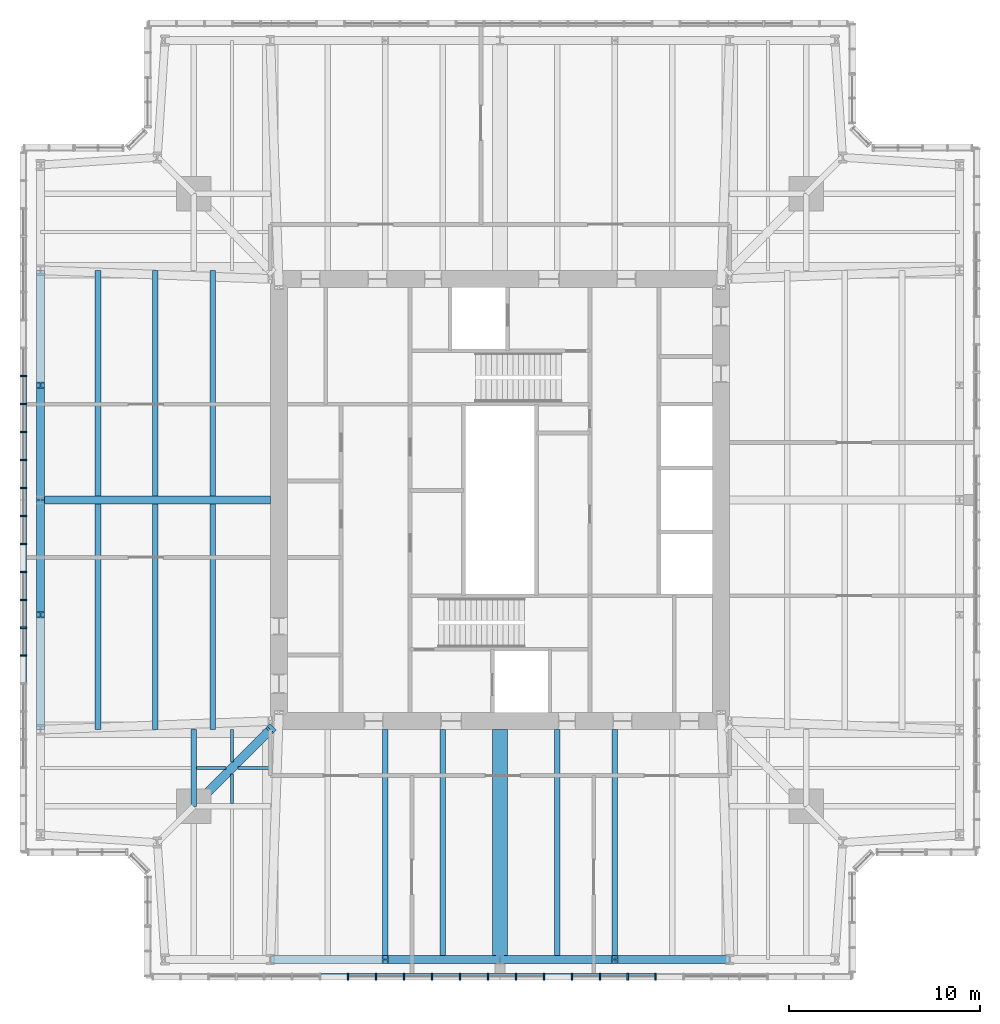
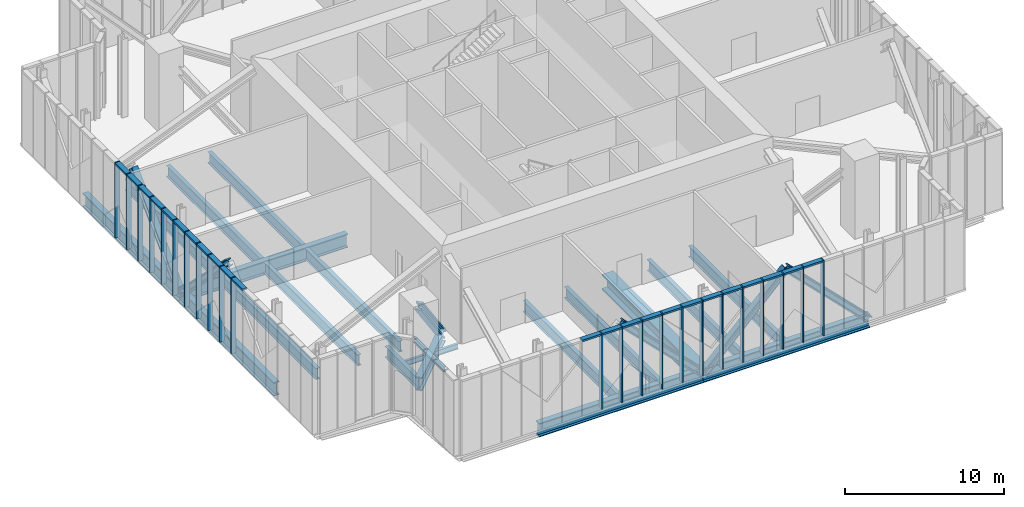
# One storey, part 3 of 18: 52 members, 22 beams, 2 elements without a shape of their own.
"""IFC4 building model written with IfcOpenShell, lengths in metres."""

from ifc_helpers import new_model, si_unit, direction, frame, origin, origin_2d, place, context, subcontext, project, spatial, rectangle, i_section, extrude, material, material_profile, profile_set, type_object, element, aggregate, save


model = new_model("IFC4")

# Units and contexts
model_context = context("Model", 3, precision=1e-05, world=origin(), true_north=direction((0.0, 1.0)))
body_context = subcontext(model_context, "Body", "Model", "MODEL_VIEW")
ifc_project = project(units=[si_unit("LENGTHUNIT", "METRE"), si_unit("AREAUNIT", "SQUARE_METRE"), si_unit("VOLUMEUNIT", "CUBIC_METRE"), si_unit("PLANEANGLEUNIT", "RADIAN"), si_unit("MASSUNIT", "GRAM", prefix="KILO")], contexts=[model_context])

# Site, building, storey
site_placement = place(None, origin())
site = spatial("IfcSite", under=ifc_project, at=site_placement, CompositionType="ELEMENT")
building_placement = place(site_placement, origin())
building = spatial("IfcBuilding", under=site, at=building_placement, Name="Fenwick Lantern Interchange", CompositionType="ELEMENT")
storey_placement = place(building_placement, frame((0.0, 0.0, 301.800048828125)))
storey = spatial("IfcBuildingStorey", under=building, at=storey_placement, Name="L73", CompositionType="ELEMENT", Elevation=301.800048828125)

# Members
ifc_material_1 = material(Name="Steel ASTM A992 Grade 50", Category="steel")
ifc_material_profile_1 = material_profile(ifc_material_1, i_section(OverallWidth=0.431884765625, OverallDepth=0.497802734375, WebThickness=0.0556640625, FlangeThickness=0.0888671875, at=origin_2d()), Name="W14X500")
ifc_profile_set_1 = profile_set([ifc_material_profile_1], Name="Steel ASTM A992 Grade 50")
member_type_1 = type_object("IfcMemberType", Name="BELT TRUSS DIAGONAL W14X500", PredefinedType="BRACE", material=ifc_profile_set_1)
for number, where, z_axis, x_axis, name in (
    (1, (25.0, 1.0, -0.650146484375), (-0.707106781187, 0.0, 0.707106781187), (0.0, -1.0, 0.0), "L73/BT/S/D3"),
    (2, (25.0, 1.0, -0.650146484375), (0.707106781187, 0.0, 0.707106781187), (0.0, 1.0, 0.0), "L73/BT/S/D4"),
    (3, (37.0, 1.0, -0.650146484375), (-0.707106781187, 0.0, 0.707106781187), (0.0, -1.0, 0.0), "L73/BT/S/D5"),
    (4, (1.0, 25.0, -0.650146484375), (0.0, 0.707106781187, 0.707106781187), (-1.0, 0.0, 0.0), "L73/BT/W/D3"),
    (5, (1.0, 25.0, -0.650146484375), (0.0, -0.707106781187, 0.707106781187), (1.0, 0.0, 0.0), "L73/BT/W/D4"),
):
    element("IfcMember", number, at=place(storey_placement, frame(where, z_axis=z_axis, x_axis=x_axis)), inside=storey, type_object=member_type_1, Name=name, PredefinedType="BRACE", context=body_context, shape_type="SweptSolid", body=[
        extrude(i_section(OverallWidth=0.431884765625, OverallDepth=0.497802734375, WebThickness=0.0556640625, FlangeThickness=0.0888671875, at=origin_2d()), origin(), (0.0, 0.0, 1.0), 8.4853515625),
    ])

# Beams
ifc_material_profile_2 = material_profile(ifc_material_1, i_section(OverallWidth=0.408935546875, OverallDepth=1.04150390625, WebThickness=0.031005859375, FlangeThickness=0.055908203125, at=origin_2d()), Name="W40X397")
ifc_profile_set_2 = profile_set([ifc_material_profile_2], Name="Steel ASTM A992 Grade 50")
beam_type_1 = type_object("IfcBeamType", Name="EDGE BEAM W40X397", PredefinedType="SPANDREL", material=ifc_profile_set_2)
for number, where, z_axis, x_axis, name in (
    (6, (13.0, 1.0, -0.720703125), (1.0, 0.0, 0.0), (0.0, 1.0, 0.0), "L73/FR/S/EB2"),
    (7, (25.0, 1.0, -0.720703125), (1.0, 0.0, 0.0), (0.0, 1.0, 0.0), "L73/FR/S/EB3"),
    (8, (1.0, 37.0, -0.720703125), (0.0, -1.0, 0.0), (1.0, 0.0, 0.0), "L73/FR/W/EB2"),
    (9, (1.0, 25.0, -0.720703125), (0.0, -1.0, 0.0), (1.0, 0.0, 0.0), "L73/FR/W/EB3"),
):
    element("IfcBeam", number, at=place(storey_placement, frame(where, z_axis=z_axis, x_axis=x_axis)), inside=storey, type_object=beam_type_1, Name=name, PredefinedType="SPANDREL", context=body_context, shape_type="SweptSolid", body=[
        extrude(i_section(OverallWidth=0.408935546875, OverallDepth=1.04150390625, WebThickness=0.031005859375, FlangeThickness=0.055908203125, at=origin_2d()), origin(), (0.0, 0.0, 1.0), 12.0),
    ])
ifc_material_profile_3 = material_profile(ifc_material_1, i_section(OverallWidth=0.2919921875, OverallDepth=0.845703125, WebThickness=0.015380859375, FlangeThickness=0.0244140625, at=origin_2d()), Name="W33X141")
ifc_profile_set_3 = profile_set([ifc_material_profile_3], Name="Steel ASTM A992 Grade 50")
beam_type_2 = type_object("IfcBeamType", Name="FLOOR BEAM W33X141", PredefinedType="BEAM", material=ifc_profile_set_3)
for number, where, z_axis, x_axis, name in (
    (10, (19.0, 1.0, -0.623046875), (0.0, 1.0, 0.0), (-1.0, 0.0, 0.0), "L73/FR/S/R03"),
    (11, (22.0, 1.0, -0.623046875), (0.0, 1.0, 0.0), (-1.0, 0.0, 0.0), "L73/FR/S/R04"),
    (12, (28.0, 1.0, -0.623046875), (0.0, 1.0, 0.0), (-1.0, 0.0, 0.0), "L73/FR/S/R06"),
    (13, (31.0, 1.0, -0.623046875), (0.0, 1.0, 0.0), (-1.0, 0.0, 0.0), "L73/FR/S/R07"),
):
    element("IfcBeam", number, at=place(storey_placement, frame(where, z_axis=z_axis, x_axis=x_axis)), inside=storey, type_object=beam_type_2, Name=name, PredefinedType="BEAM", context=body_context, shape_type="SweptSolid", body=[
        extrude(i_section(OverallWidth=0.2919921875, OverallDepth=0.845703125, WebThickness=0.015380859375, FlangeThickness=0.0244140625, at=origin_2d()), origin(), (0.0, 0.0, 1.0), 12.0),
    ])
for number, where, z_axis, x_axis, name in (
    (14, (4.0, 37.0, -0.623046875), (0.0, -1.0, 0.0), (1.0, 0.0, 0.0), "L73/FR/W/B01"),
    (15, (7.0, 37.0, -0.623046875), (0.0, -1.0, 0.0), (1.0, 0.0, 0.0), "L73/FR/W/B02"),
    (16, (10.0, 37.0, -0.623046875), (0.0, -1.0, 0.0), (1.0, 0.0, 0.0), "L73/FR/W/B03"),
    (17, (4.0, 24.79541015625, -0.623046875), (0.0, -1.0, 0.0), (1.0, 0.0, 0.0), "L73/FR/W/B04"),
    (18, (7.0, 24.79541015625, -0.623046875), (0.0, -1.0, 0.0), (1.0, 0.0, 0.0), "L73/FR/W/B05"),
    (19, (10.0, 24.79541015625, -0.623046875), (0.0, -1.0, 0.0), (1.0, 0.0, 0.0), "L73/FR/W/B06"),
):
    element("IfcBeam", number, at=place(storey_placement, frame(where, z_axis=z_axis, x_axis=x_axis)), inside=storey, type_object=beam_type_2, Name=name, PredefinedType="BEAM", context=body_context, shape_type="SweptSolid", body=[
        extrude(i_section(OverallWidth=0.2919921875, OverallDepth=0.845703125, WebThickness=0.015380859375, FlangeThickness=0.0244140625, at=origin_2d()), origin(), (0.0, 0.0, 1.0), 11.79541015625),
    ])
ifc_material_profile_4 = material_profile(ifc_material_1, i_section(OverallWidth=0.177734375, OverallDepth=0.406494140625, WebThickness=0.0078125, FlangeThickness=0.012939453125, at=origin_2d()), Name="W16X40")
ifc_profile_set_4 = profile_set([ifc_material_profile_4], Name="Steel ASTM A992 Grade 50")
beam_type_3 = type_object("IfcBeamType", Name="INFILL BEAM W16X40", PredefinedType="JOIST", material=ifc_profile_set_4)
beam_1_placement = place(storey_placement, frame((11.0, 9.14599609375, -0.4033203125), z_axis=(0.0, 1.0, 0.0), x_axis=(-1.0, 0.0, 0.0)))
element("IfcBeam", 20, at=beam_1_placement, inside=storey, type_object=beam_type_3, Name="L73/FR/S/J2", PredefinedType="JOIST", context=body_context, shape_type="SweptSolid", body=[
    extrude(i_section(OverallWidth=0.177734375, OverallDepth=0.406494140625, WebThickness=0.0078125, FlangeThickness=0.012939453125, at=origin_2d()), origin(), (0.0, 0.0, 1.0), 1.537841796875),
])
beam_2_placement = place(storey_placement, frame((11.0, 11.316162109375, -0.4033203125), z_axis=(0.0, 1.0, 0.0), x_axis=(-1.0, 0.0, 0.0)))
element("IfcBeam", 21, at=beam_2_placement, inside=storey, type_object=beam_type_3, Name="L73/FR/S/J6", PredefinedType="JOIST", context=body_context, shape_type="SweptSolid", body=[
    extrude(i_section(OverallWidth=0.177734375, OverallDepth=0.406494140625, WebThickness=0.0078125, FlangeThickness=0.012939453125, at=origin_2d()), origin(), (0.0, 0.0, 1.0), 1.683837890625),
])
beam_3_placement = place(storey_placement, frame((9.14599609375, 11.0, -0.4033203125), z_axis=(1.0, 0.0, 0.0), x_axis=(0.0, 1.0, 0.0)))
element("IfcBeam", 22, at=beam_3_placement, inside=storey, type_object=beam_type_3, Name="L73/FR/S/J4", PredefinedType="JOIST", context=body_context, shape_type="SweptSolid", body=[
    extrude(i_section(OverallWidth=0.177734375, OverallDepth=0.406494140625, WebThickness=0.0078125, FlangeThickness=0.012939453125, at=origin_2d()), origin(), (0.0, 0.0, 1.0), 1.537841796875),
])
beam_4_placement = place(storey_placement, frame((11.316162109375, 11.0, -0.4033203125), z_axis=(1.0, 0.0, 0.0), x_axis=(0.0, 1.0, 0.0)))
element("IfcBeam", 23, at=beam_4_placement, inside=storey, type_object=beam_type_3, Name="L73/FR/S/J5", PredefinedType="JOIST", context=body_context, shape_type="SweptSolid", body=[
    extrude(i_section(OverallWidth=0.177734375, OverallDepth=0.406494140625, WebThickness=0.0078125, FlangeThickness=0.012939453125, at=origin_2d()), origin(), (0.0, 0.0, 1.0), 1.683837890625),
])

# Curtain wall, members
ifc_material_2 = material(Name="Aluminium curtain wall frame", Category="aluminium")
curtain_wall_type = type_object("IfcCurtainWallType", Name="LANTERN GLAZING", PredefinedType="USERDEFINED", material=ifc_material_2)
curtain_wall_1_placement = place(storey_placement, origin())
curtain_wall_1 = element("IfcCurtainWall", 24, at=curtain_wall_1_placement, inside=storey, type_object=curtain_wall_type, Name="Lantern glazing 01", ObjectType="LANTERN GLAZING", PredefinedType="USERDEFINED")
ifc_material_3 = material(Name="Aluminium extrusion", Category="aluminium")
ifc_material_profile_5 = material_profile(ifc_material_3, rectangle(XDim=0.35009765625, YDim=0.080078125, at=origin_2d()), Name="LANTERN GLAZING MULLION 80 X 350")
ifc_profile_set_5 = profile_set([ifc_material_profile_5], Name="Aluminium extrusion")
member_type_2 = type_object("IfcMemberType", Name="LANTERN GLAZING MULLION 80 X 350", PredefinedType="MULLION", material=ifc_profile_set_5)
member_1_placement = place(storey_placement, frame((17.065673828125, 0.10009765625, 0.0), z_axis=(0.0, 0.0, 1.0), x_axis=(0.0, 1.0, 0.0)))
member_1 = element("IfcMember", 25, at=member_1_placement, type_object=member_type_2, Name="L73/CW/01/M07", PredefinedType="MULLION", context=body_context, shape_type="SweptSolid", body=[
    extrude(rectangle(XDim=0.35009765625, YDim=0.080078125, at=origin_2d()), origin(), (0.0, 0.0, 1.0), 5.800048828125),
])
member_2_placement = place(storey_placement, frame((18.5263671875, 0.10009765625, 0.0), z_axis=(0.0, 0.0, 1.0), x_axis=(0.0, 1.0, 0.0)))
member_2 = element("IfcMember", 26, at=member_2_placement, type_object=member_type_2, Name="L73/CW/01/M08", PredefinedType="MULLION", context=body_context, shape_type="SweptSolid", body=[
    extrude(rectangle(XDim=0.35009765625, YDim=0.080078125, at=origin_2d()), origin(), (0.0, 0.0, 1.0), 5.800048828125),
])
member_3_placement = place(storey_placement, frame((19.9873046875, 0.10009765625, 0.0), z_axis=(0.0, 0.0, 1.0), x_axis=(0.0, 1.0, 0.0)))
member_3 = element("IfcMember", 27, at=member_3_placement, type_object=member_type_2, Name="L73/CW/01/M09", PredefinedType="MULLION", context=body_context, shape_type="SweptSolid", body=[
    extrude(rectangle(XDim=0.35009765625, YDim=0.080078125, at=origin_2d()), origin(), (0.0, 0.0, 1.0), 5.800048828125),
])
member_4_placement = place(storey_placement, frame((21.447998046875, 0.10009765625, 0.0), z_axis=(0.0, 0.0, 1.0), x_axis=(0.0, 1.0, 0.0)))
member_4 = element("IfcMember", 28, at=member_4_placement, type_object=member_type_2, Name="L73/CW/01/M10", PredefinedType="MULLION", context=body_context, shape_type="SweptSolid", body=[
    extrude(rectangle(XDim=0.35009765625, YDim=0.080078125, at=origin_2d()), origin(), (0.0, 0.0, 1.0), 5.800048828125),
])
member_5_placement = place(storey_placement, frame((22.90869140625, 0.10009765625, 0.0), z_axis=(0.0, 0.0, 1.0), x_axis=(0.0, 1.0, 0.0)))
member_5 = element("IfcMember", 29, at=member_5_placement, type_object=member_type_2, Name="L73/CW/01/M11", PredefinedType="MULLION", context=body_context, shape_type="SweptSolid", body=[
    extrude(rectangle(XDim=0.35009765625, YDim=0.080078125, at=origin_2d()), origin(), (0.0, 0.0, 1.0), 5.800048828125),
])
member_6_placement = place(storey_placement, frame((24.36962890625, 0.10009765625, 0.0), z_axis=(0.0, 0.0, 1.0), x_axis=(0.0, 1.0, 0.0)))
member_6 = element("IfcMember", 30, at=member_6_placement, type_object=member_type_2, Name="L73/CW/01/M12", PredefinedType="MULLION", context=body_context, shape_type="SweptSolid", body=[
    extrude(rectangle(XDim=0.35009765625, YDim=0.080078125, at=origin_2d()), origin(), (0.0, 0.0, 1.0), 5.800048828125),
])
member_7_placement = place(storey_placement, frame((25.830322265625, 0.10009765625, 0.0), z_axis=(0.0, 0.0, 1.0), x_axis=(0.0, 1.0, 0.0)))
member_7 = element("IfcMember", 31, at=member_7_placement, type_object=member_type_2, Name="L73/CW/01/M13", PredefinedType="MULLION", context=body_context, shape_type="SweptSolid", body=[
    extrude(rectangle(XDim=0.35009765625, YDim=0.080078125, at=origin_2d()), origin(), (0.0, 0.0, 1.0), 5.800048828125),
])
member_8_placement = place(storey_placement, frame((27.291259765625, 0.10009765625, 0.0), z_axis=(0.0, 0.0, 1.0), x_axis=(0.0, 1.0, 0.0)))
member_8 = element("IfcMember", 32, at=member_8_placement, type_object=member_type_2, Name="L73/CW/01/M14", PredefinedType="MULLION", context=body_context, shape_type="SweptSolid", body=[
    extrude(rectangle(XDim=0.35009765625, YDim=0.080078125, at=origin_2d()), origin(), (0.0, 0.0, 1.0), 5.800048828125),
])
member_9_placement = place(storey_placement, frame((28.751953125, 0.10009765625, 0.0), z_axis=(0.0, 0.0, 1.0), x_axis=(0.0, 1.0, 0.0)))
member_9 = element("IfcMember", 33, at=member_9_placement, type_object=member_type_2, Name="L73/CW/01/M15", PredefinedType="MULLION", context=body_context, shape_type="SweptSolid", body=[
    extrude(rectangle(XDim=0.35009765625, YDim=0.080078125, at=origin_2d()), origin(), (0.0, 0.0, 1.0), 5.800048828125),
])
member_10_placement = place(storey_placement, frame((30.212890625, 0.10009765625, 0.0), z_axis=(0.0, 0.0, 1.0), x_axis=(0.0, 1.0, 0.0)))
member_10 = element("IfcMember", 34, at=member_10_placement, type_object=member_type_2, Name="L73/CW/01/M16", PredefinedType="MULLION", context=body_context, shape_type="SweptSolid", body=[
    extrude(rectangle(XDim=0.35009765625, YDim=0.080078125, at=origin_2d()), origin(), (0.0, 0.0, 1.0), 5.800048828125),
])
member_11_placement = place(storey_placement, frame((31.673583984375, 0.10009765625, 0.0), z_axis=(0.0, 0.0, 1.0), x_axis=(0.0, 1.0, 0.0)))
member_11 = element("IfcMember", 35, at=member_11_placement, type_object=member_type_2, Name="L73/CW/01/M17", PredefinedType="MULLION", context=body_context, shape_type="SweptSolid", body=[
    extrude(rectangle(XDim=0.35009765625, YDim=0.080078125, at=origin_2d()), origin(), (0.0, 0.0, 1.0), 5.800048828125),
])
member_12_placement = place(storey_placement, frame((33.134521484375, 0.10009765625, 0.0), z_axis=(0.0, 0.0, 1.0), x_axis=(0.0, 1.0, 0.0)))
member_12 = element("IfcMember", 36, at=member_12_placement, type_object=member_type_2, Name="L73/CW/01/M18", PredefinedType="MULLION", context=body_context, shape_type="SweptSolid", body=[
    extrude(rectangle(XDim=0.35009765625, YDim=0.080078125, at=origin_2d()), origin(), (0.0, 0.0, 1.0), 5.800048828125),
])

curtain_wall_2_placement = place(storey_placement, origin())
curtain_wall_2 = element("IfcCurtainWall", 37, at=curtain_wall_2_placement, inside=storey, type_object=curtain_wall_type, Name="Lantern glazing 13", ObjectType="LANTERN GLAZING", PredefinedType="USERDEFINED")
member_13_placement = place(storey_placement, frame((0.10009765625, 31.4736328125, 0.0), z_axis=(0.0, 0.0, 1.0), x_axis=(1.0, 0.0, 0.0)))
member_13 = element("IfcMember", 38, at=member_13_placement, type_object=member_type_2, Name="L73/CW/13/M08", PredefinedType="MULLION", context=body_context, shape_type="SweptSolid", body=[
    extrude(rectangle(XDim=0.35009765625, YDim=0.080078125, at=origin_2d()), origin(), (0.0, 0.0, 1.0), 5.800048828125),
])
member_14_placement = place(storey_placement, frame((0.10009765625, 30.0126953125, 0.0), z_axis=(0.0, 0.0, 1.0), x_axis=(1.0, 0.0, 0.0)))
member_14 = element("IfcMember", 39, at=member_14_placement, type_object=member_type_2, Name="L73/CW/13/M09", PredefinedType="MULLION", context=body_context, shape_type="SweptSolid", body=[
    extrude(rectangle(XDim=0.35009765625, YDim=0.080078125, at=origin_2d()), origin(), (0.0, 0.0, 1.0), 5.800048828125),
])
member_15_placement = place(storey_placement, frame((0.10009765625, 28.552001953125, 0.0), z_axis=(0.0, 0.0, 1.0), x_axis=(1.0, 0.0, 0.0)))
member_15 = element("IfcMember", 40, at=member_15_placement, type_object=member_type_2, Name="L73/CW/13/M10", PredefinedType="MULLION", context=body_context, shape_type="SweptSolid", body=[
    extrude(rectangle(XDim=0.35009765625, YDim=0.080078125, at=origin_2d()), origin(), (0.0, 0.0, 1.0), 5.800048828125),
])
member_16_placement = place(storey_placement, frame((0.10009765625, 27.09130859375, 0.0), z_axis=(0.0, 0.0, 1.0), x_axis=(1.0, 0.0, 0.0)))
member_16 = element("IfcMember", 41, at=member_16_placement, type_object=member_type_2, Name="L73/CW/13/M11", PredefinedType="MULLION", context=body_context, shape_type="SweptSolid", body=[
    extrude(rectangle(XDim=0.35009765625, YDim=0.080078125, at=origin_2d()), origin(), (0.0, 0.0, 1.0), 5.800048828125),
])
member_17_placement = place(storey_placement, frame((0.10009765625, 25.63037109375, 0.0), z_axis=(0.0, 0.0, 1.0), x_axis=(1.0, 0.0, 0.0)))
member_17 = element("IfcMember", 42, at=member_17_placement, type_object=member_type_2, Name="L73/CW/13/M12", PredefinedType="MULLION", context=body_context, shape_type="SweptSolid", body=[
    extrude(rectangle(XDim=0.35009765625, YDim=0.080078125, at=origin_2d()), origin(), (0.0, 0.0, 1.0), 5.800048828125),
])
member_18_placement = place(storey_placement, frame((0.10009765625, 24.169677734375, 0.0), z_axis=(0.0, 0.0, 1.0), x_axis=(1.0, 0.0, 0.0)))
member_18 = element("IfcMember", 43, at=member_18_placement, type_object=member_type_2, Name="L73/CW/13/M13", PredefinedType="MULLION", context=body_context, shape_type="SweptSolid", body=[
    extrude(rectangle(XDim=0.35009765625, YDim=0.080078125, at=origin_2d()), origin(), (0.0, 0.0, 1.0), 5.800048828125),
])
member_19_placement = place(storey_placement, frame((0.10009765625, 22.708740234375, 0.0), z_axis=(0.0, 0.0, 1.0), x_axis=(1.0, 0.0, 0.0)))
member_19 = element("IfcMember", 44, at=member_19_placement, type_object=member_type_2, Name="L73/CW/13/M14", PredefinedType="MULLION", context=body_context, shape_type="SweptSolid", body=[
    extrude(rectangle(XDim=0.35009765625, YDim=0.080078125, at=origin_2d()), origin(), (0.0, 0.0, 1.0), 5.800048828125),
])
member_20_placement = place(storey_placement, frame((0.10009765625, 21.248046875, 0.0), z_axis=(0.0, 0.0, 1.0), x_axis=(1.0, 0.0, 0.0)))
member_20 = element("IfcMember", 45, at=member_20_placement, type_object=member_type_2, Name="L73/CW/13/M15", PredefinedType="MULLION", context=body_context, shape_type="SweptSolid", body=[
    extrude(rectangle(XDim=0.35009765625, YDim=0.080078125, at=origin_2d()), origin(), (0.0, 0.0, 1.0), 5.800048828125),
])
member_21_placement = place(storey_placement, frame((0.10009765625, 19.787109375, 0.0), z_axis=(0.0, 0.0, 1.0), x_axis=(1.0, 0.0, 0.0)))
member_21 = element("IfcMember", 46, at=member_21_placement, type_object=member_type_2, Name="L73/CW/13/M16", PredefinedType="MULLION", context=body_context, shape_type="SweptSolid", body=[
    extrude(rectangle(XDim=0.35009765625, YDim=0.080078125, at=origin_2d()), origin(), (0.0, 0.0, 1.0), 5.800048828125),
])
member_22_placement = place(storey_placement, frame((0.10009765625, 18.326416015625, 0.0), z_axis=(0.0, 0.0, 1.0), x_axis=(1.0, 0.0, 0.0)))
member_22 = element("IfcMember", 47, at=member_22_placement, type_object=member_type_2, Name="L73/CW/13/M17", PredefinedType="MULLION", context=body_context, shape_type="SweptSolid", body=[
    extrude(rectangle(XDim=0.35009765625, YDim=0.080078125, at=origin_2d()), origin(), (0.0, 0.0, 1.0), 5.800048828125),
])
member_23_placement = place(storey_placement, frame((0.10009765625, 16.865478515625, 0.0), z_axis=(0.0, 0.0, 1.0), x_axis=(1.0, 0.0, 0.0)))
member_23 = element("IfcMember", 48, at=member_23_placement, type_object=member_type_2, Name="L73/CW/13/M18", PredefinedType="MULLION", context=body_context, shape_type="SweptSolid", body=[
    extrude(rectangle(XDim=0.35009765625, YDim=0.080078125, at=origin_2d()), origin(), (0.0, 0.0, 1.0), 5.800048828125),
])

# Member
ifc_material_profile_6 = material_profile(ifc_material_3, rectangle(XDim=0.35009765625, YDim=0.139892578125, at=origin_2d()), Name="LANTERN GLAZING TRANSOM 140 X 350")
ifc_profile_set_6 = profile_set([ifc_material_profile_6], Name="Aluminium extrusion")
member_type_3 = type_object("IfcMemberType", Name="LANTERN GLAZING TRANSOM 140 X 350", PredefinedType="MULLION", material=ifc_profile_set_6)
member_24_placement = place(storey_placement, frame((15.644775390625, 0.10009765625, 5.72998046875), z_axis=(1.0, 0.0, 0.0), x_axis=(0.0, 1.0, 0.0)))
member_24 = element("IfcMember", 49, at=member_24_placement, type_object=member_type_3, Name="L73/CW/01/T06", PredefinedType="MULLION", context=body_context, shape_type="SweptSolid", body=[
    extrude(rectangle(XDim=0.35009765625, YDim=0.139892578125, at=origin_2d()), origin(), (0.0, 0.0, 1.0), 1.380859375),
])

member_25_placement = place(storey_placement, frame((17.105712890625, 0.10009765625, 5.72998046875), z_axis=(1.0, 0.0, 0.0), x_axis=(0.0, 1.0, 0.0)))
member_25 = element("IfcMember", 50, at=member_25_placement, type_object=member_type_3, Name="L73/CW/01/T07", PredefinedType="MULLION", context=body_context, shape_type="SweptSolid", body=[
    extrude(rectangle(XDim=0.35009765625, YDim=0.139892578125, at=origin_2d()), origin(), (0.0, 0.0, 1.0), 1.380615234375),
])

member_26_placement = place(storey_placement, frame((18.56640625, 0.10009765625, 5.72998046875), z_axis=(1.0, 0.0, 0.0), x_axis=(0.0, 1.0, 0.0)))
member_26 = element("IfcMember", 51, at=member_26_placement, type_object=member_type_3, Name="L73/CW/01/T08", PredefinedType="MULLION", context=body_context, shape_type="SweptSolid", body=[
    extrude(rectangle(XDim=0.35009765625, YDim=0.139892578125, at=origin_2d()), origin(), (0.0, 0.0, 1.0), 1.380859375),
])

member_27_placement = place(storey_placement, frame((20.027099609375, 0.10009765625, 5.72998046875), z_axis=(1.0, 0.0, 0.0), x_axis=(0.0, 1.0, 0.0)))
member_27 = element("IfcMember", 52, at=member_27_placement, type_object=member_type_3, Name="L73/CW/01/T09", PredefinedType="MULLION", context=body_context, shape_type="SweptSolid", body=[
    extrude(rectangle(XDim=0.35009765625, YDim=0.139892578125, at=origin_2d()), origin(), (0.0, 0.0, 1.0), 1.380859375),
])

member_28_placement = place(storey_placement, frame((21.488037109375, 0.10009765625, 5.72998046875), z_axis=(1.0, 0.0, 0.0), x_axis=(0.0, 1.0, 0.0)))
member_28 = element("IfcMember", 53, at=member_28_placement, type_object=member_type_3, Name="L73/CW/01/T10", PredefinedType="MULLION", context=body_context, shape_type="SweptSolid", body=[
    extrude(rectangle(XDim=0.35009765625, YDim=0.139892578125, at=origin_2d()), origin(), (0.0, 0.0, 1.0), 1.380859375),
])

member_29_placement = place(storey_placement, frame((22.94873046875, 0.10009765625, 5.72998046875), z_axis=(1.0, 0.0, 0.0), x_axis=(0.0, 1.0, 0.0)))
member_29 = element("IfcMember", 54, at=member_29_placement, type_object=member_type_3, Name="L73/CW/01/T11", PredefinedType="MULLION", context=body_context, shape_type="SweptSolid", body=[
    extrude(rectangle(XDim=0.35009765625, YDim=0.139892578125, at=origin_2d()), origin(), (0.0, 0.0, 1.0), 1.380859375),
])

member_30_placement = place(storey_placement, frame((24.40966796875, 0.10009765625, 5.72998046875), z_axis=(1.0, 0.0, 0.0), x_axis=(0.0, 1.0, 0.0)))
member_30 = element("IfcMember", 55, at=member_30_placement, type_object=member_type_3, Name="L73/CW/01/T12", PredefinedType="MULLION", context=body_context, shape_type="SweptSolid", body=[
    extrude(rectangle(XDim=0.35009765625, YDim=0.139892578125, at=origin_2d()), origin(), (0.0, 0.0, 1.0), 1.380615234375),
])

member_31_placement = place(storey_placement, frame((25.870361328125, 0.10009765625, 5.72998046875), z_axis=(1.0, 0.0, 0.0), x_axis=(0.0, 1.0, 0.0)))
member_31 = element("IfcMember", 56, at=member_31_placement, type_object=member_type_3, Name="L73/CW/01/T13", PredefinedType="MULLION", context=body_context, shape_type="SweptSolid", body=[
    extrude(rectangle(XDim=0.35009765625, YDim=0.139892578125, at=origin_2d()), origin(), (0.0, 0.0, 1.0), 1.380859375),
])

member_32_placement = place(storey_placement, frame((27.331298828125, 0.10009765625, 5.72998046875), z_axis=(1.0, 0.0, 0.0), x_axis=(0.0, 1.0, 0.0)))
member_32 = element("IfcMember", 57, at=member_32_placement, type_object=member_type_3, Name="L73/CW/01/T14", PredefinedType="MULLION", context=body_context, shape_type="SweptSolid", body=[
    extrude(rectangle(XDim=0.35009765625, YDim=0.139892578125, at=origin_2d()), origin(), (0.0, 0.0, 1.0), 1.380615234375),
])

member_33_placement = place(storey_placement, frame((28.7919921875, 0.10009765625, 5.72998046875), z_axis=(1.0, 0.0, 0.0), x_axis=(0.0, 1.0, 0.0)))
member_33 = element("IfcMember", 58, at=member_33_placement, type_object=member_type_3, Name="L73/CW/01/T15", PredefinedType="MULLION", context=body_context, shape_type="SweptSolid", body=[
    extrude(rectangle(XDim=0.35009765625, YDim=0.139892578125, at=origin_2d()), origin(), (0.0, 0.0, 1.0), 1.380859375),
])

member_34_placement = place(storey_placement, frame((30.252685546875, 0.10009765625, 5.72998046875), z_axis=(1.0, 0.0, 0.0), x_axis=(0.0, 1.0, 0.0)))
member_34 = element("IfcMember", 59, at=member_34_placement, type_object=member_type_3, Name="L73/CW/01/T16", PredefinedType="MULLION", context=body_context, shape_type="SweptSolid", body=[
    extrude(rectangle(XDim=0.35009765625, YDim=0.139892578125, at=origin_2d()), origin(), (0.0, 0.0, 1.0), 1.380859375),
])

member_35_placement = place(storey_placement, frame((31.713623046875, 0.10009765625, 5.72998046875), z_axis=(1.0, 0.0, 0.0), x_axis=(0.0, 1.0, 0.0)))
member_35 = element("IfcMember", 60, at=member_35_placement, type_object=member_type_3, Name="L73/CW/01/T17", PredefinedType="MULLION", context=body_context, shape_type="SweptSolid", body=[
    extrude(rectangle(XDim=0.35009765625, YDim=0.139892578125, at=origin_2d()), origin(), (0.0, 0.0, 1.0), 1.380859375),
])

aggregate(curtain_wall_1, [member_1, member_2, member_3, member_4, member_5, member_6, member_7, member_8, member_9, member_10, member_11, member_12, member_24, member_25, member_26, member_27, member_28, member_29, member_30, member_31, member_32, member_33, member_34, member_35])

member_36_placement = place(storey_placement, frame((0.10009765625, 31.43359375, 5.72998046875), z_axis=(0.0, -1.0, 0.0), x_axis=(1.0, 0.0, 0.0)))
member_36 = element("IfcMember", 61, at=member_36_placement, type_object=member_type_3, Name="L73/CW/13/T08", PredefinedType="MULLION", context=body_context, shape_type="SweptSolid", body=[
    extrude(rectangle(XDim=0.35009765625, YDim=0.139892578125, at=origin_2d()), origin(), (0.0, 0.0, 1.0), 1.380859375),
])

member_37_placement = place(storey_placement, frame((0.10009765625, 29.972900390625, 5.72998046875), z_axis=(0.0, -1.0, 0.0), x_axis=(1.0, 0.0, 0.0)))
member_37 = element("IfcMember", 62, at=member_37_placement, type_object=member_type_3, Name="L73/CW/13/T09", PredefinedType="MULLION", context=body_context, shape_type="SweptSolid", body=[
    extrude(rectangle(XDim=0.35009765625, YDim=0.139892578125, at=origin_2d()), origin(), (0.0, 0.0, 1.0), 1.380859375),
])

member_38_placement = place(storey_placement, frame((0.10009765625, 28.511962890625, 5.72998046875), z_axis=(0.0, -1.0, 0.0), x_axis=(1.0, 0.0, 0.0)))
member_38 = element("IfcMember", 63, at=member_38_placement, type_object=member_type_3, Name="L73/CW/13/T10", PredefinedType="MULLION", context=body_context, shape_type="SweptSolid", body=[
    extrude(rectangle(XDim=0.35009765625, YDim=0.139892578125, at=origin_2d()), origin(), (0.0, 0.0, 1.0), 1.380859375),
])

member_39_placement = place(storey_placement, frame((0.10009765625, 27.05126953125, 5.72998046875), z_axis=(0.0, -1.0, 0.0), x_axis=(1.0, 0.0, 0.0)))
member_39 = element("IfcMember", 64, at=member_39_placement, type_object=member_type_3, Name="L73/CW/13/T11", PredefinedType="MULLION", context=body_context, shape_type="SweptSolid", body=[
    extrude(rectangle(XDim=0.35009765625, YDim=0.139892578125, at=origin_2d()), origin(), (0.0, 0.0, 1.0), 1.380859375),
])

member_40_placement = place(storey_placement, frame((0.10009765625, 25.59033203125, 5.72998046875), z_axis=(0.0, -1.0, 0.0), x_axis=(1.0, 0.0, 0.0)))
member_40 = element("IfcMember", 65, at=member_40_placement, type_object=member_type_3, Name="L73/CW/13/T12", PredefinedType="MULLION", context=body_context, shape_type="SweptSolid", body=[
    extrude(rectangle(XDim=0.35009765625, YDim=0.139892578125, at=origin_2d()), origin(), (0.0, 0.0, 1.0), 1.380615234375),
])

member_41_placement = place(storey_placement, frame((0.10009765625, 24.129638671875, 5.72998046875), z_axis=(0.0, -1.0, 0.0), x_axis=(1.0, 0.0, 0.0)))
member_41 = element("IfcMember", 66, at=member_41_placement, type_object=member_type_3, Name="L73/CW/13/T13", PredefinedType="MULLION", context=body_context, shape_type="SweptSolid", body=[
    extrude(rectangle(XDim=0.35009765625, YDim=0.139892578125, at=origin_2d()), origin(), (0.0, 0.0, 1.0), 1.380859375),
])

member_42_placement = place(storey_placement, frame((0.10009765625, 22.668701171875, 5.72998046875), z_axis=(0.0, -1.0, 0.0), x_axis=(1.0, 0.0, 0.0)))
member_42 = element("IfcMember", 67, at=member_42_placement, type_object=member_type_3, Name="L73/CW/13/T14", PredefinedType="MULLION", context=body_context, shape_type="SweptSolid", body=[
    extrude(rectangle(XDim=0.35009765625, YDim=0.139892578125, at=origin_2d()), origin(), (0.0, 0.0, 1.0), 1.380615234375),
])

member_43_placement = place(storey_placement, frame((0.10009765625, 21.2080078125, 5.72998046875), z_axis=(0.0, -1.0, 0.0), x_axis=(1.0, 0.0, 0.0)))
member_43 = element("IfcMember", 68, at=member_43_placement, type_object=member_type_3, Name="L73/CW/13/T15", PredefinedType="MULLION", context=body_context, shape_type="SweptSolid", body=[
    extrude(rectangle(XDim=0.35009765625, YDim=0.139892578125, at=origin_2d()), origin(), (0.0, 0.0, 1.0), 1.380859375),
])

member_44_placement = place(storey_placement, frame((0.10009765625, 19.747314453125, 5.72998046875), z_axis=(0.0, -1.0, 0.0), x_axis=(1.0, 0.0, 0.0)))
member_44 = element("IfcMember", 69, at=member_44_placement, type_object=member_type_3, Name="L73/CW/13/T16", PredefinedType="MULLION", context=body_context, shape_type="SweptSolid", body=[
    extrude(rectangle(XDim=0.35009765625, YDim=0.139892578125, at=origin_2d()), origin(), (0.0, 0.0, 1.0), 1.380859375),
])

member_45_placement = place(storey_placement, frame((0.10009765625, 18.286376953125, 5.72998046875), z_axis=(0.0, -1.0, 0.0), x_axis=(1.0, 0.0, 0.0)))
member_45 = element("IfcMember", 70, at=member_45_placement, type_object=member_type_3, Name="L73/CW/13/T17", PredefinedType="MULLION", context=body_context, shape_type="SweptSolid", body=[
    extrude(rectangle(XDim=0.35009765625, YDim=0.139892578125, at=origin_2d()), origin(), (0.0, 0.0, 1.0), 1.380859375),
])

member_46_placement = place(storey_placement, frame((0.10009765625, 16.82568359375, 5.72998046875), z_axis=(0.0, -1.0, 0.0), x_axis=(1.0, 0.0, 0.0)))
member_46 = element("IfcMember", 71, at=member_46_placement, type_object=member_type_3, Name="L73/CW/13/T18", PredefinedType="MULLION", context=body_context, shape_type="SweptSolid", body=[
    extrude(rectangle(XDim=0.35009765625, YDim=0.139892578125, at=origin_2d()), origin(), (0.0, 0.0, 1.0), 1.380859375),
])

aggregate(curtain_wall_2, [member_13, member_14, member_15, member_16, member_17, member_18, member_19, member_20, member_21, member_22, member_23, member_36, member_37, member_38, member_39, member_40, member_41, member_42, member_43, member_44, member_45, member_46])

# Beams
ifc_material_profile_7 = material_profile(ifc_material_1, i_section(OverallWidth=0.2919921875, OverallDepth=0.845703125, WebThickness=0.015380859375, FlangeThickness=0.0244140625, at=origin_2d()), Name="W33X141")
ifc_profile_set_7 = profile_set([ifc_material_profile_7], Name="Steel ASTM A992 Grade 50")
beam_type_4 = type_object("IfcBeamType", Name="MEGA COLUMN BEAM W33X141", PredefinedType="BEAM", material=ifc_profile_set_7)
beam_5_placement = place(storey_placement, frame((9.0, 9.0, -0.623046875), z_axis=(0.0, 1.0, 0.0), x_axis=(-1.0, 0.0, 0.0)))
element("IfcBeam", 72, at=beam_5_placement, inside=storey, type_object=beam_type_4, Name="L73/FR/S/MB4", PredefinedType="BEAM", context=body_context, shape_type="SweptSolid", body=[
    extrude(i_section(OverallWidth=0.2919921875, OverallDepth=0.845703125, WebThickness=0.015380859375, FlangeThickness=0.0244140625, at=origin_2d()), origin(), (0.0, 0.0, 1.0), 4.0),
])
ifc_material_4 = material(Name="Steel ASTM A572 Grade 42", Category="steel")
ifc_material_profile_8 = material_profile(ifc_material_4, i_section(OverallWidth=0.800048828125, OverallDepth=1.199951171875, WebThickness=0.06005859375, FlangeThickness=0.1201171875, at=origin_2d()), Name="BU1200X800")
ifc_profile_set_8 = profile_set([ifc_material_profile_8], Name="Steel ASTM A572 Grade 42")
beam_type_5 = type_object("IfcBeamType", Name="MOMENT-CONNECTED GIRDER BU1200X800", PredefinedType="BEAM", material=ifc_profile_set_8)
beam_6_placement = place(storey_placement, frame((25.0, 1.0, -0.800048828125), z_axis=(0.0, 1.0, 0.0), x_axis=(-1.0, 0.0, 0.0)))
element("IfcBeam", 73, at=beam_6_placement, inside=storey, type_object=beam_type_5, Name="L73/FR/S/R05", PredefinedType="BEAM", context=body_context, shape_type="SweptSolid", body=[
    extrude(i_section(OverallWidth=0.800048828125, OverallDepth=1.199951171875, WebThickness=0.06005859375, FlangeThickness=0.1201171875, at=origin_2d()), origin(), (0.0, 0.0, 1.0), 12.0),
])
ifc_material_profile_9 = material_profile(ifc_material_1, i_section(OverallWidth=0.408935546875, OverallDepth=1.04150390625, WebThickness=0.031005859375, FlangeThickness=0.055908203125, at=origin_2d()), Name="W40X397")
ifc_profile_set_9 = profile_set([ifc_material_profile_9], Name="Steel ASTM A992 Grade 50")
beam_type_6 = type_object("IfcBeamType", Name="MOMENT-CONNECTED GIRDER W40X397", PredefinedType="BEAM", material=ifc_profile_set_9)
beam_7_placement = place(storey_placement, frame((1.0, 25.0, -0.720703125), z_axis=(1.0, 0.0, 0.0), x_axis=(0.0, 1.0, 0.0)))
element("IfcBeam", 74, at=beam_7_placement, inside=storey, type_object=beam_type_6, Name="L73/FR/W/R02", PredefinedType="BEAM", context=body_context, shape_type="SweptSolid", body=[
    extrude(i_section(OverallWidth=0.408935546875, OverallDepth=1.04150390625, WebThickness=0.031005859375, FlangeThickness=0.055908203125, at=origin_2d()), origin(), (0.0, 0.0, 1.0), 12.0),
])
ifc_material_profile_10 = material_profile(ifc_material_1, i_section(OverallWidth=0.447021484375, OverallDepth=1.0439453125, WebThickness=0.050048828125, FlangeThickness=0.08984375, at=origin_2d()), Name="W36X652")
ifc_profile_set_10 = profile_set([ifc_material_profile_10], Name="Steel ASTM A992 Grade 50")
beam_type_7 = type_object("IfcBeamType", Name="OUTRIGGER CHORD W36X652", PredefinedType="BEAM", material=ifc_profile_set_10)
beam_8_placement = place(storey_placement, frame((13.0, 13.0, -0.721923828125), z_axis=(-0.707106781187, -0.707106781187, 0.0), x_axis=(0.707106781187, -0.707106781187, 0.0)))
element("IfcBeam", 75, at=beam_8_placement, inside=storey, type_object=beam_type_7, Name="L73/OR/S/BC", PredefinedType="BEAM", context=body_context, shape_type="SweptSolid", body=[
    extrude(i_section(OverallWidth=0.447021484375, OverallDepth=1.0439453125, WebThickness=0.050048828125, FlangeThickness=0.08984375, at=origin_2d()), origin(), (0.0, 0.0, 1.0), 5.65673828125),
])

# Member
ifc_material_profile_11 = material_profile(ifc_material_1, i_section(OverallWidth=0.45458984375, OverallDepth=0.56884765625, WebThickness=0.077880859375, FlangeThickness=0.124755859375, at=origin_2d()), Name="W14X730")
ifc_profile_set_11 = profile_set([ifc_material_profile_11], Name="Steel ASTM A992 Grade 50")
member_type_4 = type_object("IfcMemberType", Name="OUTRIGGER DIAGONAL W14X730", PredefinedType="BRACE", material=ifc_profile_set_11)
member_47_placement = place(storey_placement, frame((13.0, 13.0, -0.721923828125), z_axis=(-0.485071250073, -0.485071250073, 0.727606875109), x_axis=(0.707106781187, -0.707106781187, 0.0)))
element("IfcMember", 76, at=member_47_placement, inside=storey, type_object=member_type_4, Name="L73/OR/S/D", PredefinedType="BRACE", context=body_context, shape_type="SweptSolid", body=[
    extrude(i_section(OverallWidth=0.45458984375, OverallDepth=0.56884765625, WebThickness=0.077880859375, FlangeThickness=0.124755859375, at=origin_2d()), origin(), (0.0, 0.0, 1.0), 8.24609375),
])

save(model, "model.ifc")
